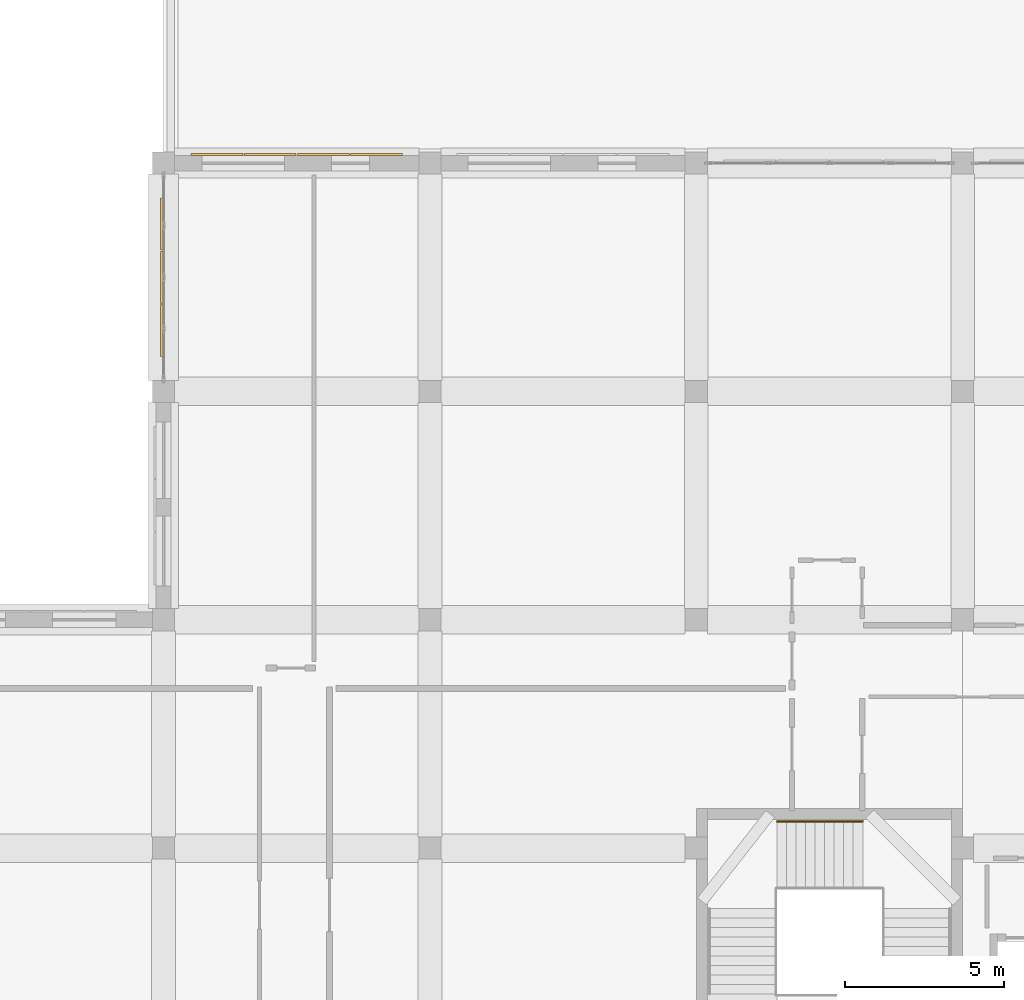
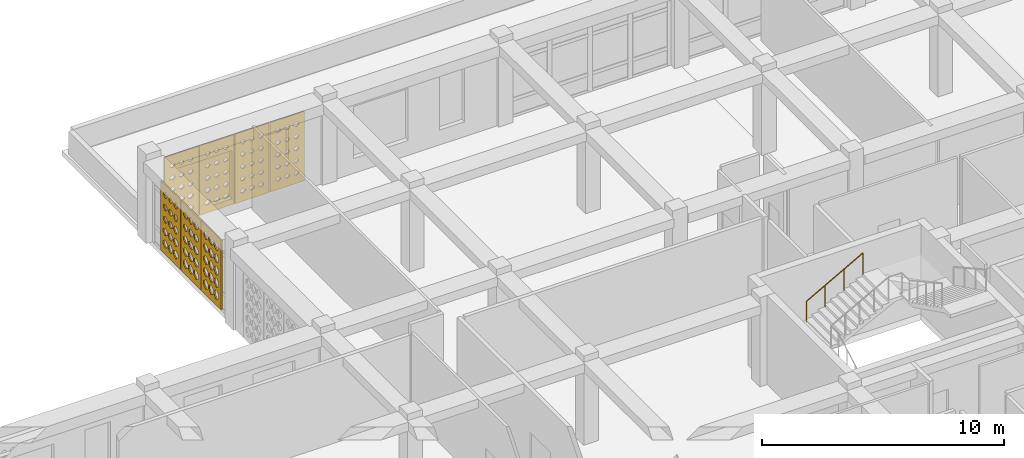
# One storey, part 90 of 100: 7 coverings, 1 railing.
"""IFC4 building model written with IfcOpenShell, lengths in metres."""

import ifcopenshell
import ifcopenshell.guid

model = None  # the IFC model being written
_history = None  # IfcOwnerHistory: only IFC2X3 demands one
_inside = {}  # id of a spatial element -> (the spatial element, [elements in it])
_under = {}  # id of a project, library or spatial element -> (it, [spatial elements below it])
_declared = {}  # id of a project -> (the project, [libraries it declares])
_typed = {}  # id of a type object -> (the type object, [elements of that type])
_made_of = {}  # id of a material, layer set ... -> (it, [elements and type objects made of it])


def new_model(schema):
    """Start an empty IFC model of exactly this schema.

    Asked for "IFC4X3", IfcOpenShell would pick the latest addendum, in which some entities
    have other attributes; the version numbers below select the first issue.
    IFC2X3 requires an IfcOwnerHistory on every rooted entity: one is made here for all.
    """
    global model, _history
    if schema == "IFC4X3":
        model = ifcopenshell.file(schema_version=(4, 3, 0, 0))
    else:
        model = ifcopenshell.file(schema=schema)
    _inside.clear()
    _under.clear()
    _declared.clear()
    _typed.clear()
    _made_of.clear()
    _history = None
    if model.schema == "IFC2X3":
        org = make("IfcOrganization", Name="unknown")
        user = make(
            "IfcPersonAndOrganization",
            ThePerson=make("IfcPerson", FamilyName="unknown"),
            TheOrganization=org,
        )
        app = make(
            "IfcApplication",
            ApplicationDeveloper=org,
            Version="unknown",
            ApplicationFullName="unknown",
            ApplicationIdentifier="unknown",
        )
        _history = make(
            "IfcOwnerHistory",
            OwningUser=user,
            OwningApplication=app,
            ChangeAction="ADDED",
            CreationDate=0,
        )
    return model


def make(cls, **values):
    """One entity of the class cls with the attributes given. An attribute that is None is left unset."""
    return model.create_entity(
        cls, **{name: value for name, value in values.items() if value is not None}
    )


def rooted(cls, **values):
    """An entity with a GlobalId (a new one), such as an element, a storey or a relation."""
    return make(cls, GlobalId=ifcopenshell.guid.new(), OwnerHistory=_history, **values)


def si_unit(unit_type, name, prefix=None):
    """IfcSIUnit, for example si_unit("LENGTHUNIT", "METRE", prefix="MILLI")."""
    return make("IfcSIUnit", UnitType=unit_type, Prefix=prefix, Name=name)


def derived_unit(unit_type, elements):
    """IfcDerivedUnit: a product of units, each with its exponent."""
    return make(
        "IfcDerivedUnit",
        Elements=[
            make("IfcDerivedUnitElement", Unit=unit, Exponent=power)
            for unit, power in elements
        ],
        UnitType=unit_type,
    )


def assignment(units):
    """IfcUnitAssignment: the units of a project."""
    return None if units is None else make("IfcUnitAssignment", Units=units)


def point(xyz):
    """IfcCartesianPoint."""
    return None if xyz is None else make("IfcCartesianPoint", Coordinates=xyz)


def direction(xyz):
    """IfcDirection."""
    return None if xyz is None else make("IfcDirection", DirectionRatios=xyz)


def frame(location, z_axis=None, x_axis=None):
    """IfcAxis2Placement3D, a coordinate frame: its origin and axes. An axis left out is left unset."""
    return make(
        "IfcAxis2Placement3D",
        Location=point(location),
        Axis=direction(z_axis),
        RefDirection=direction(x_axis),
    )


def frame_2d(location, x_axis=None):
    """IfcAxis2Placement2D, a coordinate frame in the plane: its origin and x axis."""
    return make(
        "IfcAxis2Placement2D", Location=point(location), RefDirection=direction(x_axis)
    )


def origin():
    """The frame at (0, 0, 0) with its axes left unset."""
    return frame((0.0, 0.0, 0.0))


def origin_2d():
    """The frame at (0, 0) in the plane with its x axis left unset."""
    return frame_2d((0.0, 0.0))


def place(relative_to, where):
    """IfcLocalPlacement: puts the frame where relative to a parent placement (None: the world)."""
    return make(
        "IfcLocalPlacement", PlacementRelTo=relative_to, RelativePlacement=where
    )


def context(
    kind, dimensions, precision=None, world=None, true_north=None, identifier=None
):
    """IfcGeometricRepresentationContext, for example the 3D "Model" context."""
    return make(
        "IfcGeometricRepresentationContext",
        ContextIdentifier=identifier,
        ContextType=kind,
        CoordinateSpaceDimension=dimensions,
        Precision=precision,
        WorldCoordinateSystem=world,
        TrueNorth=true_north,
    )


def subcontext(parent, identifier, kind, view, scale=None):
    """IfcGeometricRepresentationSubContext, for example "Body" below "Model"."""
    return make(
        "IfcGeometricRepresentationSubContext",
        ContextIdentifier=identifier,
        ContextType=kind,
        ParentContext=parent,
        TargetScale=scale,
        TargetView=view,
    )


def project(units=None, contexts=None):
    """IfcProject with its units and contexts."""
    return rooted(
        "IfcProject",
        Name="project",
        RepresentationContexts=contexts,
        UnitsInContext=assignment(units),
    )


def spatial(cls, under=None, at=None, **own):
    """A site, building, storey or space (cls), placed at a placement, below another one or the project."""
    s = rooted(cls, ObjectPlacement=at, **own)
    if under is not None:
        _under.setdefault(under.id(), (under, []))[1].append(s)
    return s


def polyline(points):
    """IfcPolyline through the points."""
    return make("IfcPolyline", Points=[point(p) for p in points])


def profile(cls, at=None, kind="AREA", **sizes):
    """A parametric profile (cls). Its sizes go by their IFC names, for example OverallWidth=200.0."""
    return make(cls, ProfileType=kind, Position=at, **sizes)


def circle(**sizes):
    """IfcCircleProfileDef."""
    return profile("IfcCircleProfileDef", **sizes)


def outline(outer, holes=None, kind="AREA"):
    """IfcArbitraryClosedProfileDef: a profile drawn as a closed curve; with holes, ...WithVoids."""
    if holes is None:
        return make("IfcArbitraryClosedProfileDef", ProfileType=kind, OuterCurve=outer)
    return make(
        "IfcArbitraryProfileDefWithVoids",
        ProfileType=kind,
        OuterCurve=outer,
        InnerCurves=holes,
    )


def extrude(swept, where, along, depth):
    """IfcExtrudedAreaSolid: the profile swept, set in the frame where, extruded along a direction by depth."""
    return make(
        "IfcExtrudedAreaSolid",
        SweptArea=swept,
        Position=where,
        ExtrudedDirection=direction(along),
        Depth=depth,
    )


def shape(context_of_items, identifier, shape_type, items):
    """IfcShapeRepresentation: the items that make up one representation, for example the "Body"."""
    return make(
        "IfcShapeRepresentation",
        ContextOfItems=context_of_items,
        RepresentationIdentifier=identifier,
        RepresentationType=shape_type,
        Items=items,
    )


def material(Name=None, Category=None):
    """IfcMaterial."""
    return make("IfcMaterial", Name=Name, Category=Category)


def layer(
    of_material, thickness, ventilated=None, Name=None, Category=None, Priority=None
):
    """IfcMaterialLayer: one layer of a wall or slab, of a material (None: an air gap)."""
    return make(
        "IfcMaterialLayer",
        Material=of_material,
        LayerThickness=thickness,
        IsVentilated=ventilated,
        Name=Name,
        Category=Category,
        Priority=Priority,
    )


def layer_set(layers, Name=None):
    """IfcMaterialLayerSet."""
    return make("IfcMaterialLayerSet", MaterialLayers=layers, LayerSetName=Name)


def made_of(thing, what):
    """Note that an element or type object is made of a material, layer set ...; save() writes the relation."""
    if what is not None:
        _made_of.setdefault(what.id(), (what, []))[1].append(thing)
    return thing


def type_object(cls, material=None, **own):
    """A type object (cls), such as IfcWallType, which elements share."""
    return made_of(rooted(cls, **own), material)


def element(
    cls,
    number,
    at=None,
    inside=None,
    cuts=None,
    type_object=None,
    material=None,
    context=None,
    identifier="Body",
    shape_type=None,
    held_by="IfcProductDefinitionShape",
    body=None,
    shapes=None,
    **own,
):
    """One element of the class cls, such as IfcWall. Its Tag is "e" and its number.

    at: its placement. inside: the storey or other place that contains it. cuts: it is an
    opening in that element (IfcRelVoidsElement). A single representation is given by context,
    identifier, shape_type and body (its items); several are given by shapes. held_by: the class
    of the entity that holds the representations. save() writes the other relations.
    """
    e = rooted(cls, Tag="e%d" % number, ObjectPlacement=at, **own)
    if body is not None:
        shapes = [shape(context, identifier, shape_type, body)]
    if shapes is not None:
        e.Representation = make(held_by, Representations=shapes)
    if inside is not None:
        _inside.setdefault(inside.id(), (inside, []))[1].append(e)
    if cuts is not None:
        rooted(
            "IfcRelVoidsElement", RelatingBuildingElement=cuts, RelatedOpeningElement=e
        )
    if type_object is not None:
        _typed.setdefault(type_object.id(), (type_object, []))[1].append(e)
    return made_of(e, material)


def aggregate(whole, parts):
    """IfcRelAggregates: a whole, such as a stair, and the parts it consists of."""
    return rooted("IfcRelAggregates", RelatingObject=whole, RelatedObjects=parts)


def save(model, path):
    """Write the relations noted so far, then the file.

    IfcRelAggregates (storeys below a building ...), IfcRelContainedInSpatialStructure (elements
    in a storey), IfcRelDefinesByType, IfcRelAssociatesMaterial and IfcRelDeclares: one each for
    every whole, place, type object, material and project.
    """
    for whole, parts in _under.values():
        aggregate(whole, parts)
    for where, things in _inside.values():
        rooted(
            "IfcRelContainedInSpatialStructure",
            RelatedElements=things,
            RelatingStructure=where,
        )
    for kind, things in _typed.values():
        rooted("IfcRelDefinesByType", RelatedObjects=things, RelatingType=kind)
    for what, things in _made_of.values():
        rooted("IfcRelAssociatesMaterial", RelatedObjects=things, RelatingMaterial=what)
    for by, libraries in _declared.values():
        rooted("IfcRelDeclares", RelatingContext=by, RelatedDefinitions=libraries)
    model.write(path)


model = new_model("IFC4")

# Units and contexts
model_context = context("Model", 3, precision=1e-05, world=origin(), true_north=direction((0.0, 1.0)))
body_context = subcontext(model_context, "Body", "Model", "MODEL_VIEW")
ifc_project = project(units=[si_unit("LENGTHUNIT", "METRE"), si_unit("AREAUNIT", "SQUARE_METRE"), si_unit("VOLUMEUNIT", "CUBIC_METRE"), si_unit("PLANEANGLEUNIT", "RADIAN"), si_unit("MASSUNIT", "GRAM", prefix="KILO"), derived_unit("THERMALTRANSMITTANCEUNIT", [(si_unit("POWERUNIT", "WATT"), 1), (si_unit("LENGTHUNIT", "METRE"), -2), (si_unit("THERMODYNAMICTEMPERATUREUNIT", "KELVIN"), -1)])], contexts=[model_context])

# Site, building, storey
site_placement = place(None, origin())
site = spatial("IfcSite", under=ifc_project, at=site_placement, CompositionType="ELEMENT")
building_placement = place(site_placement, origin())
building = spatial("IfcBuilding", under=site, at=building_placement, Name="Veybourne Emporium", CompositionType="ELEMENT")
storey_placement = place(building_placement, frame((0.0, 0.0, 14.39990234375)))
storey = spatial("IfcBuildingStorey", under=building, at=storey_placement, Name="L03", CompositionType="ELEMENT", Elevation=14.39990234375)

# Railing
ifc_material_1 = material(Name="Brushed Stainless Steel", Category="steel")
railing_type = type_object("IfcRailingType", Name="Handrail_HR-01", PredefinedType="HANDRAIL", material=ifc_material_1)
railing_placement = place(storey_placement, frame((52.949951171875, 80.0400390625, 1.650146484375)))
element("IfcRailing", 1, at=railing_placement, inside=storey, type_object=railing_type, Name="L03 ST-03 pitch handrail 2", PredefinedType="HANDRAIL", context=body_context, shape_type="SweptSolid", body=[
    extrude(circle(Radius=0.02392578125, at=origin_2d()), frame((0.0, 0.0, 0.92578125), z_axis=(0.87415354758, 0.0, 0.485649642493), x_axis=(0.0, 1.0, 0.0)), (0.0, 0.0, 1.0), 3.088623046875),
    extrude(circle(Radius=0.02099609375, at=origin_2d()), frame((0.0, 0.0, -0.14990234375)), (0.0, 0.0, 1.0), 1.0517578125),
    extrude(circle(Radius=0.02099609375, at=origin_2d()), frame((0.89990234375, 0.0, 0.35009765625)), (0.0, 0.0, 1.0), 1.0517578125),
    extrude(circle(Radius=0.02099609375, at=origin_2d()), frame((1.800048828125, 0.0, 0.85009765625)), (0.0, 0.0, 1.0), 1.0517578125),
    extrude(circle(Radius=0.02099609375, at=origin_2d()), frame((2.699951171875, 0.0, 1.35009765625)), (0.0, 0.0, 1.0), 1.0517578125),
])

# Coverings
ifc_material_2 = material(Name="Warm-White Perforated Aluminium Screen Alloy", Category="aluminium")
ifc_layer_1 = layer(ifc_material_2, 0.06005859375)
ifc_layer_set_1 = layer_set([ifc_layer_1], Name="Warm-White Perforated Aluminium Screen Alloy")
covering_type_1 = type_object("IfcCoveringType", Name="WaveScreen_SCR-01", PredefinedType="CLADDING", material=ifc_layer_set_1)
covering_1_placement = place(storey_placement, frame((36.9599609375, 101.09814453125, 1.815185546875), z_axis=(0.0, -1.0, 0.0), x_axis=(1.0, 0.0, 0.0)))
element("IfcCovering", 2, at=covering_1_placement, inside=storey, type_object=covering_type_1, Name="L03 wave-perforated aluminium screen SCR-01 (23.2)", PredefinedType="CLADDING", context=body_context, shape_type="SweptSolid", body=[
    extrude(outline(polyline([(-0.81982421875, -1.7548828125), (0.81982421875, -1.7548828125), (0.81982421875, 1.7548828125), (-0.81982421875, 1.7548828125), (-0.81982421875, -1.7548828125)]), holes=[polyline([(-0.433349609375, -1.087890625), (-0.308837890625, -1.177490234375), (-0.308837890625, -1.2783203125), (-0.433349609375, -1.367919921875), (-0.557861328125, -1.2783203125), (-0.557861328125, -1.177490234375), (-0.433349609375, -1.087890625)]), polyline([(-0.433349609375, -0.484130859375), (-0.31689453125, -0.567138671875), (-0.31689453125, -0.660888671875), (-0.433349609375, -0.743896484375), (-0.549560546875, -0.660888671875), (-0.549560546875, -0.567138671875), (-0.433349609375, -0.484130859375)]), polyline([(-0.433349609375, 0.12158203125), (-0.32373046875, 0.043701171875), (-0.32373046875, -0.043701171875), (-0.433349609375, -0.12158203125), (-0.54296875, -0.043701171875), (-0.54296875, 0.043701171875), (-0.433349609375, 0.12158203125)]), polyline([(-0.433349609375, 0.7294921875), (-0.328857421875, 0.655517578125), (-0.328857421875, 0.572509765625), (-0.433349609375, 0.49853515625), (-0.537841796875, 0.572509765625), (-0.537841796875, 0.655517578125), (-0.433349609375, 0.7294921875)]), polyline([(-0.433349609375, 1.339599609375), (-0.33203125, 1.268310546875), (-0.33203125, 1.187744140625), (-0.433349609375, 1.116455078125), (-0.53466796875, 1.187744140625), (-0.53466796875, 1.268310546875), (-0.433349609375, 1.339599609375)]), polyline([(0.0, -1.0927734375), (0.12060546875, -1.17919921875), (0.12060546875, -1.276611328125), (0.0, -1.36328125), (-0.12060546875, -1.276611328125), (-0.12060546875, -1.17919921875), (0.0, -1.0927734375)]), polyline([(0.0, -0.488037109375), (0.113037109375, -0.568603515625), (0.113037109375, -0.6591796875), (0.0, -0.739990234375), (-0.113037109375, -0.6591796875), (-0.113037109375, -0.568603515625), (0.0, -0.488037109375)]), polyline([(0.0, 0.11865234375), (0.10693359375, 0.042724609375), (0.10693359375, -0.042724609375), (0.0, -0.11865234375), (-0.10693359375, -0.042724609375), (-0.10693359375, 0.042724609375), (0.0, 0.11865234375)]), polyline([(0.0, 0.727294921875), (0.102783203125, 0.65478515625), (0.102783203125, 0.5732421875), (0.0, 0.50048828125), (-0.102783203125, 0.5732421875), (-0.102783203125, 0.65478515625), (0.0, 0.727294921875)]), polyline([(0.0, 1.338623046875), (0.1005859375, 1.267822265625), (0.1005859375, 1.188232421875), (0.0, 1.117431640625), (-0.1005859375, 1.188232421875), (-0.1005859375, 1.267822265625), (0.0, 1.338623046875)]), polyline([(0.433349609375, -1.09716796875), (0.55029296875, -1.180908203125), (0.55029296875, -1.275146484375), (0.433349609375, -1.35888671875), (0.31640625, -1.275146484375), (0.31640625, -1.180908203125), (0.433349609375, -1.09716796875)]), polyline([(0.433349609375, -0.49169921875), (0.54345703125, -0.570068359375), (0.54345703125, -0.657958984375), (0.433349609375, -0.736328125), (0.3232421875, -0.657958984375), (0.3232421875, -0.570068359375), (0.433349609375, -0.49169921875)]), polyline([(0.433349609375, 0.115966796875), (0.5380859375, 0.041748046875), (0.5380859375, -0.041748046875), (0.433349609375, -0.115966796875), (0.32861328125, -0.041748046875), (0.32861328125, 0.041748046875), (0.433349609375, 0.115966796875)]), polyline([(0.433349609375, 0.725830078125), (0.534912109375, 0.654296875), (0.534912109375, 0.57373046875), (0.433349609375, 0.502197265625), (0.331787109375, 0.57373046875), (0.331787109375, 0.654296875), (0.433349609375, 0.725830078125)]), polyline([(0.433349609375, 1.338134765625), (0.533447265625, 1.267578125), (0.533447265625, 1.1884765625), (0.433349609375, 1.117919921875), (0.333251953125, 1.1884765625), (0.333251953125, 1.267578125), (0.433349609375, 1.338134765625)])]), origin(), (0.0, 0.0, 1.0), 0.06005859375),
])
covering_2_placement = place(storey_placement, frame((33.50439453125, 95.52001953125, 1.815185546875), z_axis=(1.0, 0.0, 0.0), x_axis=(0.0, 1.0, 0.0)))
element("IfcCovering", 3, at=covering_2_placement, inside=storey, type_object=covering_type_1, Name="L03 wave-perforated aluminium screen SCR-01 (24C.1)", PredefinedType="CLADDING", context=body_context, shape_type="SweptSolid", body=[
    extrude(outline(polyline([(-0.81982421875, -1.7548828125), (0.81982421875, -1.7548828125), (0.81982421875, 1.7548828125), (-0.81982421875, 1.7548828125), (-0.81982421875, -1.7548828125)]), holes=[polyline([(-0.433349609375, -0.969482421875), (-0.2470703125, -1.135009765625), (-0.2470703125, -1.321044921875), (-0.433349609375, -1.486328125), (-0.61962890625, -1.321044921875), (-0.61962890625, -1.135009765625), (-0.433349609375, -0.969482421875)]), polyline([(-0.433349609375, -0.364990234375), (-0.2470703125, -0.5244140625), (-0.2470703125, -0.70361328125), (-0.433349609375, -0.863037109375), (-0.61962890625, -0.70361328125), (-0.61962890625, -0.5244140625), (-0.433349609375, -0.364990234375)]), polyline([(-0.433349609375, 0.23779296875), (-0.2470703125, 0.085693359375), (-0.2470703125, -0.085693359375), (-0.433349609375, -0.23779296875), (-0.61962890625, -0.085693359375), (-0.61962890625, 0.085693359375), (-0.433349609375, 0.23779296875)]), polyline([(-0.433349609375, 0.83935546875), (-0.2470703125, 0.695068359375), (-0.2470703125, 0.532958984375), (-0.433349609375, 0.388671875), (-0.61962890625, 0.532958984375), (-0.61962890625, 0.695068359375), (-0.433349609375, 0.83935546875)]), polyline([(-0.433349609375, 1.43994140625), (-0.25, 1.30419921875), (-0.25, 1.151611328125), (-0.433349609375, 1.01611328125), (-0.61669921875, 1.151611328125), (-0.61669921875, 1.30419921875), (-0.433349609375, 1.43994140625)]), polyline([(0.0, -0.9736328125), (0.186279296875, -1.136474609375), (0.186279296875, -1.319580078125), (0.0, -1.482421875), (-0.186279296875, -1.319580078125), (-0.186279296875, -1.136474609375), (0.0, -0.9736328125)]), polyline([(0.0, -0.369873046875), (0.186279296875, -0.526123046875), (0.186279296875, -0.701904296875), (0.0, -0.858154296875), (-0.186279296875, -0.701904296875), (-0.186279296875, -0.526123046875), (0.0, -0.369873046875)]), polyline([(0.0, 0.232421875), (0.186279296875, 0.083740234375), (0.186279296875, -0.083740234375), (0.0, -0.232421875), (-0.186279296875, -0.083740234375), (-0.186279296875, 0.083740234375), (0.0, 0.232421875)]), polyline([(0.0, 0.83349609375), (0.186279296875, 0.693115234375), (0.186279296875, 0.534912109375), (0.0, 0.39453125), (-0.186279296875, 0.534912109375), (-0.186279296875, 0.693115234375), (0.0, 0.83349609375)]), polyline([(0.0, 1.43359375), (0.17822265625, 1.302001953125), (0.17822265625, 1.154052734375), (0.0, 1.022216796875), (-0.17822265625, 1.154052734375), (-0.17822265625, 1.302001953125), (0.0, 1.43359375)]), polyline([(0.433349609375, -0.97802734375), (0.61962890625, -1.137939453125), (0.61962890625, -1.318115234375), (0.433349609375, -1.477783203125), (0.2470703125, -1.318115234375), (0.2470703125, -1.137939453125), (0.433349609375, -0.97802734375)]), polyline([(0.433349609375, -0.375), (0.61962890625, -0.528076171875), (0.61962890625, -0.699951171875), (0.433349609375, -0.85302734375), (0.2470703125, -0.699951171875), (0.2470703125, -0.528076171875), (0.433349609375, -0.375)]), polyline([(0.433349609375, 0.2265625), (0.61962890625, 0.08154296875), (0.61962890625, -0.08154296875), (0.433349609375, -0.2265625), (0.2470703125, -0.08154296875), (0.2470703125, 0.08154296875), (0.433349609375, 0.2265625)]), polyline([(0.433349609375, 0.827392578125), (0.617919921875, 0.69091796875), (0.617919921875, 0.537109375), (0.433349609375, 0.400634765625), (0.248779296875, 0.537109375), (0.248779296875, 0.69091796875), (0.433349609375, 0.827392578125)]), polyline([(0.433349609375, 1.42724609375), (0.6064453125, 1.2998046875), (0.6064453125, 1.15625), (0.433349609375, 1.02880859375), (0.26025390625, 1.15625), (0.26025390625, 1.2998046875), (0.433349609375, 1.42724609375)])]), origin(), (0.0, 0.0, 1.0), 0.06005859375),
])
ifc_layer_2 = layer(ifc_material_2, 0.06005859375)
ifc_layer_set_2 = layer_set([ifc_layer_2], Name="Warm-White Perforated Aluminium Screen Alloy")
covering_type_2 = type_object("IfcCoveringType", Name="WaveScreen_SCR-02", PredefinedType="CLADDING", material=ifc_layer_set_2)
covering_3_placement = place(storey_placement, frame((38.639892578125, 101.09814453125, 1.815185546875), z_axis=(0.0, -1.0, 0.0), x_axis=(1.0, 0.0, 0.0)))
element("IfcCovering", 4, at=covering_3_placement, inside=storey, type_object=covering_type_2, Name="L03 wave-perforated aluminium screen SCR-02 (23.3)", PredefinedType="CLADDING", context=body_context, shape_type="SweptSolid", body=[
    extrude(outline(polyline([(-0.81982421875, -1.7548828125), (0.81982421875, -1.7548828125), (0.81982421875, 1.7548828125), (-0.81982421875, 1.7548828125), (-0.81982421875, -1.7548828125)]), holes=[polyline([(-0.433349609375, -1.1044921875), (-0.322265625, -1.18359375), (-0.322265625, -1.2724609375), (-0.433349609375, -1.3515625), (-0.544189453125, -1.2724609375), (-0.544189453125, -1.18359375), (-0.433349609375, -1.1044921875)]), polyline([(-0.433349609375, -0.497314453125), (-0.327880859375, -0.572021484375), (-0.327880859375, -0.656005859375), (-0.433349609375, -0.730712890625), (-0.538818359375, -0.656005859375), (-0.538818359375, -0.572021484375), (-0.433349609375, -0.497314453125)]), polyline([(-0.433349609375, 0.1123046875), (-0.33154296875, 0.040283203125), (-0.33154296875, -0.040283203125), (-0.433349609375, -0.1123046875), (-0.53515625, -0.040283203125), (-0.53515625, 0.040283203125), (-0.433349609375, 0.1123046875)]), polyline([(-0.433349609375, 0.72412109375), (-0.333251953125, 0.65380859375), (-0.333251953125, 0.57421875), (-0.433349609375, 0.50390625), (-0.533447265625, 0.57421875), (-0.533447265625, 0.65380859375), (-0.433349609375, 0.72412109375)]), polyline([(-0.433349609375, 1.33837890625), (-0.3330078125, 1.267822265625), (-0.3330078125, 1.188232421875), (-0.433349609375, 1.117431640625), (-0.53369140625, 1.188232421875), (-0.53369140625, 1.267822265625), (-0.433349609375, 1.33837890625)]), polyline([(0.0, -1.10791015625), (0.1083984375, -1.184814453125), (0.1083984375, -1.271240234375), (0.0, -1.34814453125), (-0.1083984375, -1.271240234375), (-0.1083984375, -1.184814453125), (0.0, -1.10791015625)]), polyline([(0.0, -0.49951171875), (0.103515625, -0.57275390625), (0.103515625, -0.6552734375), (0.0, -0.728515625), (-0.103515625, -0.6552734375), (-0.103515625, -0.57275390625), (0.0, -0.49951171875)]), polyline([(0.0, 0.111083984375), (0.100830078125, 0.0400390625), (0.100830078125, -0.0400390625), (0.0, -0.111083984375), (-0.100830078125, -0.0400390625), (-0.100830078125, 0.0400390625), (0.0, 0.111083984375)]), polyline([(0.0, 0.72412109375), (0.10009765625, 0.653564453125), (0.10009765625, 0.574462890625), (0.0, 0.50390625), (-0.10009765625, 0.574462890625), (-0.10009765625, 0.653564453125), (0.0, 0.72412109375)]), polyline([(0.0, 1.33935546875), (0.101318359375, 1.26806640625), (0.101318359375, 1.18798828125), (0.0, 1.11669921875), (-0.101318359375, 1.18798828125), (-0.101318359375, 1.26806640625), (0.0, 1.33935546875)]), polyline([(0.433349609375, -1.110595703125), (0.539306640625, -1.185791015625), (0.539306640625, -1.270263671875), (0.433349609375, -1.34521484375), (0.327392578125, -1.270263671875), (0.327392578125, -1.185791015625), (0.433349609375, -1.110595703125)]), polyline([(0.433349609375, -0.50146484375), (0.535400390625, -0.573486328125), (0.535400390625, -0.654541015625), (0.433349609375, -0.7265625), (0.331298828125, -0.654541015625), (0.331298828125, -0.573486328125), (0.433349609375, -0.50146484375)]), polyline([(0.433349609375, 0.1103515625), (0.533447265625, 0.039794921875), (0.533447265625, -0.039794921875), (0.433349609375, -0.1103515625), (0.3330078125, -0.039794921875), (0.3330078125, 0.039794921875), (0.433349609375, 0.1103515625)]), polyline([(0.433349609375, 0.724365234375), (0.53369140625, 0.65380859375), (0.53369140625, 0.57421875), (0.433349609375, 0.503662109375), (0.3330078125, 0.57421875), (0.3330078125, 0.65380859375), (0.433349609375, 0.724365234375)]), polyline([(0.433349609375, 1.3408203125), (0.53564453125, 1.2685546875), (0.53564453125, 1.1875), (0.433349609375, 1.114990234375), (0.3310546875, 1.1875), (0.3310546875, 1.2685546875), (0.433349609375, 1.3408203125)])]), origin(), (0.0, 0.0, 1.0), 0.06005859375),
])
covering_4_placement = place(storey_placement, frame((33.50439453125, 97.199951171875, 1.815185546875), z_axis=(1.0, 0.0, 0.0), x_axis=(0.0, 1.0, 0.0)))
element("IfcCovering", 5, at=covering_4_placement, inside=storey, type_object=covering_type_2, Name="L03 wave-perforated aluminium screen SCR-02 (24C.2)", PredefinedType="CLADDING", context=body_context, shape_type="SweptSolid", body=[
    extrude(outline(polyline([(-0.81982421875, -1.7548828125), (0.81982421875, -1.7548828125), (0.81982421875, 1.7548828125), (-0.81982421875, 1.7548828125), (-0.81982421875, -1.7548828125)]), holes=[polyline([(-0.433349609375, -0.9873046875), (-0.2470703125, -1.141357421875), (-0.2470703125, -1.314697265625), (-0.433349609375, -1.46875), (-0.61962890625, -1.314697265625), (-0.61962890625, -1.141357421875), (-0.433349609375, -0.9873046875)]), polyline([(-0.433349609375, -0.385498046875), (-0.2470703125, -0.53173828125), (-0.2470703125, -0.6962890625), (-0.433349609375, -0.842529296875), (-0.61962890625, -0.6962890625), (-0.61962890625, -0.53173828125), (-0.433349609375, -0.385498046875)]), polyline([(-0.433349609375, 0.21533203125), (-0.247314453125, 0.077392578125), (-0.247314453125, -0.077392578125), (-0.433349609375, -0.21533203125), (-0.619384765625, -0.077392578125), (-0.619384765625, 0.077392578125), (-0.433349609375, 0.21533203125)]), polyline([(-0.433349609375, 0.8154296875), (-0.258544921875, 0.6865234375), (-0.258544921875, 0.54150390625), (-0.433349609375, 0.41259765625), (-0.608154296875, 0.54150390625), (-0.608154296875, 0.6865234375), (-0.433349609375, 0.8154296875)]), polyline([(-0.433349609375, 1.415283203125), (-0.27001953125, 1.29541015625), (-0.27001953125, 1.16064453125), (-0.433349609375, 1.040771484375), (-0.596435546875, 1.16064453125), (-0.596435546875, 1.29541015625), (-0.433349609375, 1.415283203125)]), polyline([(0.0, -0.99267578125), (0.186279296875, -1.143310546875), (0.186279296875, -1.312744140625), (0.0, -1.46337890625), (-0.186279296875, -1.312744140625), (-0.186279296875, -1.143310546875), (0.0, -0.99267578125)]), polyline([(0.0, -0.391357421875), (0.186279296875, -0.533935546875), (0.186279296875, -0.694091796875), (0.0, -0.836669921875), (-0.186279296875, -0.694091796875), (-0.186279296875, -0.533935546875), (0.0, -0.391357421875)]), polyline([(0.0, 0.208984375), (0.180908203125, 0.0751953125), (0.180908203125, -0.0751953125), (0.0, -0.208984375), (-0.180908203125, -0.0751953125), (-0.180908203125, 0.0751953125), (0.0, 0.208984375)]), polyline([(0.0, 0.80908203125), (0.16943359375, 0.68408203125), (0.16943359375, 0.543701171875), (0.0, 0.4189453125), (-0.16943359375, 0.543701171875), (-0.16943359375, 0.68408203125), (0.0, 0.80908203125)]), polyline([(0.0, 1.40869140625), (0.157958984375, 1.293212890625), (0.157958984375, 1.162841796875), (0.0, 1.047119140625), (-0.157958984375, 1.162841796875), (-0.157958984375, 1.293212890625), (0.0, 1.40869140625)]), polyline([(0.433349609375, -0.998291015625), (0.61962890625, -1.145263671875), (0.61962890625, -1.310791015625), (0.433349609375, -1.457763671875), (0.2470703125, -1.310791015625), (0.2470703125, -1.145263671875), (0.433349609375, -0.998291015625)]), polyline([(0.433349609375, -0.3974609375), (0.61962890625, -0.535888671875), (0.61962890625, -0.69189453125), (0.433349609375, -0.83056640625), (0.2470703125, -0.69189453125), (0.2470703125, -0.535888671875), (0.433349609375, -0.3974609375)]), polyline([(0.433349609375, 0.20263671875), (0.609130859375, 0.072998046875), (0.609130859375, -0.072998046875), (0.433349609375, -0.20263671875), (0.257568359375, -0.072998046875), (0.257568359375, 0.072998046875), (0.433349609375, 0.20263671875)]), polyline([(0.433349609375, 0.802490234375), (0.59765625, 0.681884765625), (0.59765625, 0.546142578125), (0.433349609375, 0.425537109375), (0.26904296875, 0.546142578125), (0.26904296875, 0.681884765625), (0.433349609375, 0.802490234375)]), polyline([(0.433349609375, 1.402587890625), (0.586181640625, 1.290771484375), (0.586181640625, 1.165283203125), (0.433349609375, 1.053466796875), (0.280517578125, 1.165283203125), (0.280517578125, 1.290771484375), (0.433349609375, 1.402587890625)])]), origin(), (0.0, 0.0, 1.0), 0.06005859375),
])
ifc_layer_3 = layer(ifc_material_2, 0.06005859375)
ifc_layer_set_3 = layer_set([ifc_layer_3], Name="Warm-White Perforated Aluminium Screen Alloy")
covering_type_3 = type_object("IfcCoveringType", Name="WaveScreen_SCR-03", PredefinedType="CLADDING", material=ifc_layer_set_3)
covering_5_placement = place(storey_placement, frame((40.320068359375, 101.09814453125, 1.815185546875), z_axis=(0.0, -1.0, 0.0), x_axis=(1.0, 0.0, 0.0)))
element("IfcCovering", 6, at=covering_5_placement, inside=storey, type_object=covering_type_3, Name="L03 wave-perforated aluminium screen SCR-03 (23.4)", PredefinedType="CLADDING", context=body_context, shape_type="SweptSolid", body=[
    extrude(outline(polyline([(-0.81982421875, -1.7548828125), (0.81982421875, -1.7548828125), (0.81982421875, 1.7548828125), (-0.81982421875, 1.7548828125), (-0.81982421875, -1.7548828125)]), holes=[polyline([(-0.433349609375, -1.114990234375), (-0.330810546875, -1.187255859375), (-0.330810546875, -1.268798828125), (-0.433349609375, -1.341064453125), (-0.535888671875, -1.268798828125), (-0.535888671875, -1.187255859375), (-0.433349609375, -1.114990234375)]), polyline([(-0.433349609375, -0.50341796875), (-0.3330078125, -0.57421875), (-0.3330078125, -0.65380859375), (-0.433349609375, -0.724609375), (-0.53369140625, -0.65380859375), (-0.53369140625, -0.57421875), (-0.433349609375, -0.50341796875)]), polyline([(-0.433349609375, 0.110107421875), (-0.333251953125, 0.039794921875), (-0.333251953125, -0.039794921875), (-0.433349609375, -0.110107421875), (-0.533447265625, -0.039794921875), (-0.533447265625, 0.039794921875), (-0.433349609375, 0.110107421875)]), polyline([(-0.433349609375, 0.726318359375), (-0.331298828125, 0.654296875), (-0.331298828125, 0.573486328125), (-0.433349609375, 0.501708984375), (-0.53515625, 0.573486328125), (-0.53515625, 0.654296875), (-0.433349609375, 0.726318359375)]), polyline([(-0.433349609375, 1.344970703125), (-0.32763671875, 1.27001953125), (-0.32763671875, 1.185791015625), (-0.433349609375, 1.111083984375), (-0.538818359375, 1.185791015625), (-0.538818359375, 1.27001953125), (-0.433349609375, 1.344970703125)]), polyline([(0.0, -1.116455078125), (0.101318359375, -1.187744140625), (0.101318359375, -1.268310546875), (0.0, -1.339599609375), (-0.101318359375, -1.268310546875), (-0.101318359375, -1.187744140625), (0.0, -1.116455078125)]), polyline([(0.0, -0.50390625), (0.10009765625, -0.574462890625), (0.10009765625, -0.653564453125), (0.0, -0.72412109375), (-0.10009765625, -0.653564453125), (-0.10009765625, -0.574462890625), (0.0, -0.50390625)]), polyline([(0.0, 0.11083984375), (0.1005859375, 0.039794921875), (0.1005859375, -0.039794921875), (0.0, -0.11083984375), (-0.1005859375, -0.039794921875), (-0.1005859375, 0.039794921875), (0.0, 0.11083984375)]), polyline([(0.0, 0.72802734375), (0.103515625, 0.655029296875), (0.103515625, 0.572998046875), (0.0, 0.5), (-0.103515625, 0.572998046875), (-0.103515625, 0.655029296875), (0.0, 0.72802734375)]), polyline([(0.0, 1.34765625), (0.10791015625, 1.27099609375), (0.10791015625, 1.184814453125), (0.0, 1.1083984375), (-0.10791015625, 1.184814453125), (-0.10791015625, 1.27099609375), (0.0, 1.34765625)]), polyline([(0.433349609375, -1.117431640625), (0.53369140625, -1.188232421875), (0.53369140625, -1.267822265625), (0.433349609375, -1.338623046875), (0.332763671875, -1.267822265625), (0.332763671875, -1.188232421875), (0.433349609375, -1.117431640625)]), polyline([(0.433349609375, -0.50390625), (0.533447265625, -0.574462890625), (0.533447265625, -0.653564453125), (0.433349609375, -0.72412109375), (0.333251953125, -0.653564453125), (0.333251953125, -0.574462890625), (0.433349609375, -0.50390625)]), polyline([(0.433349609375, 0.112060546875), (0.534912109375, 0.040283203125), (0.534912109375, -0.040283203125), (0.433349609375, -0.112060546875), (0.331787109375, -0.040283203125), (0.331787109375, 0.040283203125), (0.433349609375, 0.112060546875)]), polyline([(0.433349609375, 0.730224609375), (0.53857421875, 0.656005859375), (0.53857421875, 0.572021484375), (0.433349609375, 0.497802734375), (0.328125, 0.572021484375), (0.328125, 0.656005859375), (0.433349609375, 0.730224609375)]), polyline([(0.433349609375, 1.350830078125), (0.5439453125, 1.272216796875), (0.5439453125, 1.183837890625), (0.433349609375, 1.10498046875), (0.32275390625, 1.183837890625), (0.32275390625, 1.272216796875), (0.433349609375, 1.350830078125)])]), origin(), (0.0, 0.0, 1.0), 0.06005859375),
])
covering_6_placement = place(storey_placement, frame((33.50439453125, 98.8798828125, 1.815185546875), z_axis=(1.0, 0.0, 0.0), x_axis=(0.0, 1.0, 0.0)))
element("IfcCovering", 7, at=covering_6_placement, inside=storey, type_object=covering_type_3, Name="L03 wave-perforated aluminium screen SCR-03 (24C.3)", PredefinedType="CLADDING", context=body_context, shape_type="SweptSolid", body=[
    extrude(outline(polyline([(-0.81982421875, -1.7548828125), (0.81982421875, -1.7548828125), (0.81982421875, 1.7548828125), (-0.81982421875, 1.7548828125), (-0.81982421875, -1.7548828125)]), holes=[polyline([(-0.433349609375, -1.009521484375), (-0.2470703125, -1.1494140625), (-0.2470703125, -1.306640625), (-0.433349609375, -1.446533203125), (-0.61962890625, -1.306640625), (-0.61962890625, -1.1494140625), (-0.433349609375, -1.009521484375)]), polyline([(-0.433349609375, -0.4091796875), (-0.255859375, -0.540283203125), (-0.255859375, -0.687744140625), (-0.433349609375, -0.81884765625), (-0.61083984375, -0.687744140625), (-0.61083984375, -0.540283203125), (-0.433349609375, -0.4091796875)]), polyline([(-0.433349609375, 0.190673828125), (-0.267333984375, 0.068603515625), (-0.267333984375, -0.068603515625), (-0.433349609375, -0.190673828125), (-0.599365234375, -0.068603515625), (-0.599365234375, 0.068603515625), (-0.433349609375, 0.190673828125)]), polyline([(-0.433349609375, 0.79052734375), (-0.27880859375, 0.677490234375), (-0.27880859375, 0.55029296875), (-0.433349609375, 0.4375), (-0.587890625, 0.55029296875), (-0.587890625, 0.677490234375), (-0.433349609375, 0.79052734375)]), polyline([(-0.433349609375, 1.39111328125), (-0.2900390625, 1.28662109375), (-0.2900390625, 1.169189453125), (-0.433349609375, 1.06494140625), (-0.57666015625, 1.169189453125), (-0.57666015625, 1.28662109375), (-0.433349609375, 1.39111328125)]), polyline([(0.0, -1.015625), (0.183837890625, -1.151611328125), (0.183837890625, -1.304443359375), (0.0, -1.4404296875), (-0.183837890625, -1.304443359375), (-0.183837890625, -1.151611328125), (0.0, -1.015625)]), polyline([(0.0, -0.41552734375), (0.17236328125, -0.54248046875), (0.17236328125, -0.685302734375), (0.0, -0.8125), (-0.17236328125, -0.685302734375), (-0.17236328125, -0.54248046875), (0.0, -0.41552734375)]), polyline([(0.0, 0.18408203125), (0.16064453125, 0.06640625), (0.16064453125, -0.06640625), (0.0, -0.18408203125), (-0.16064453125, -0.06640625), (-0.16064453125, 0.06640625), (0.0, 0.18408203125)]), polyline([(0.0, 0.7841796875), (0.1494140625, 0.67529296875), (0.1494140625, 0.552734375), (0.0, 0.443603515625), (-0.1494140625, 0.552734375), (-0.1494140625, 0.67529296875), (0.0, 0.7841796875)]), polyline([(0.0, 1.385009765625), (0.138427734375, 1.284423828125), (0.138427734375, 1.17138671875), (0.0, 1.071044921875), (-0.138427734375, 1.17138671875), (-0.138427734375, 1.284423828125), (0.0, 1.385009765625)]), polyline([(0.433349609375, -1.02197265625), (0.61181640625, -1.15380859375), (0.61181640625, -1.30224609375), (0.433349609375, -1.43408203125), (0.254638671875, -1.30224609375), (0.254638671875, -1.15380859375), (0.433349609375, -1.02197265625)]), polyline([(0.433349609375, -0.422119140625), (0.600341796875, -0.544921875), (0.600341796875, -0.68310546875), (0.433349609375, -0.805908203125), (0.266357421875, -0.68310546875), (0.266357421875, -0.544921875), (0.433349609375, -0.422119140625)]), polyline([(0.433349609375, 0.177978515625), (0.5888671875, 0.06396484375), (0.5888671875, -0.06396484375), (0.433349609375, -0.177978515625), (0.27783203125, -0.06396484375), (0.27783203125, 0.06396484375), (0.433349609375, 0.177978515625)]), polyline([(0.433349609375, 0.7783203125), (0.57763671875, 0.673095703125), (0.57763671875, 0.554931640625), (0.433349609375, 0.44970703125), (0.2890625, 0.554931640625), (0.2890625, 0.673095703125), (0.433349609375, 0.7783203125)]), polyline([(0.433349609375, 1.37939453125), (0.567138671875, 1.282470703125), (0.567138671875, 1.173583984375), (0.433349609375, 1.07666015625), (0.299560546875, 1.173583984375), (0.299560546875, 1.282470703125), (0.433349609375, 1.37939453125)])]), origin(), (0.0, 0.0, 1.0), 0.06005859375),
])
ifc_layer_4 = layer(ifc_material_2, 0.06005859375)
ifc_layer_set_4 = layer_set([ifc_layer_4], Name="Warm-White Perforated Aluminium Screen Alloy")
covering_type_4 = type_object("IfcCoveringType", Name="WaveScreen_SCR-04", PredefinedType="CLADDING", material=ifc_layer_set_4)
covering_7_placement = place(storey_placement, frame((35.280029296875, 101.09814453125, 1.815185546875), z_axis=(0.0, -1.0, 0.0), x_axis=(1.0, 0.0, 0.0)))
element("IfcCovering", 8, at=covering_7_placement, inside=storey, type_object=covering_type_4, Name="L03 wave-perforated aluminium screen SCR-04 (23.1)", PredefinedType="CLADDING", context=body_context, shape_type="SweptSolid", body=[
    extrude(outline(polyline([(-0.81982421875, -1.7548828125), (0.81982421875, -1.7548828125), (0.81982421875, 1.7548828125), (-0.81982421875, 1.7548828125), (-0.81982421875, -1.7548828125)]), holes=[polyline([(-0.433349609375, -1.066650390625), (-0.291259765625, -1.169921875), (-0.291259765625, -1.2861328125), (-0.433349609375, -1.389404296875), (-0.575439453125, -1.2861328125), (-0.575439453125, -1.169921875), (-0.433349609375, -1.066650390625)]), polyline([(-0.433349609375, -0.465087890625), (-0.301513671875, -0.560302734375), (-0.301513671875, -0.66748046875), (-0.433349609375, -0.7626953125), (-0.565185546875, -0.66748046875), (-0.565185546875, -0.560302734375), (-0.433349609375, -0.465087890625)]), polyline([(-0.433349609375, 0.137451171875), (-0.310791015625, 0.049560546875), (-0.310791015625, -0.049560546875), (-0.433349609375, -0.137451171875), (-0.555908203125, -0.049560546875), (-0.555908203125, 0.049560546875), (-0.433349609375, 0.137451171875)]), polyline([(-0.433349609375, 0.74169921875), (-0.31884765625, 0.659912109375), (-0.31884765625, 0.568115234375), (-0.433349609375, 0.486083984375), (-0.5478515625, 0.568115234375), (-0.5478515625, 0.659912109375), (-0.433349609375, 0.74169921875)]), polyline([(-0.433349609375, 1.347900390625), (-0.3251953125, 1.271240234375), (-0.3251953125, 1.184814453125), (-0.433349609375, 1.10791015625), (-0.54150390625, 1.184814453125), (-0.54150390625, 1.271240234375), (-0.433349609375, 1.347900390625)]), polyline([(0.0, -1.072509765625), (0.13720703125, -1.172119140625), (0.13720703125, -1.283935546875), (0.0, -1.383544921875), (-0.13720703125, -1.283935546875), (-0.13720703125, -1.172119140625), (0.0, -1.072509765625)]), polyline([(0.0, -0.470458984375), (0.12744140625, -0.5625), (0.12744140625, -0.66552734375), (0.0, -0.757568359375), (-0.12744140625, -0.66552734375), (-0.12744140625, -0.5625), (0.0, -0.470458984375)]), polyline([(0.0, 0.1328125), (0.11865234375, 0.0478515625), (0.11865234375, -0.0478515625), (0.0, -0.1328125), (-0.11865234375, -0.0478515625), (-0.11865234375, 0.0478515625), (0.0, 0.1328125)]), polyline([(0.0, 0.738037109375), (0.111328125, 0.65869140625), (0.111328125, 0.5693359375), (0.0, 0.489990234375), (-0.111328125, 0.5693359375), (-0.111328125, 0.65869140625), (0.0, 0.738037109375)]), polyline([(0.0, 1.34521484375), (0.105712890625, 1.270263671875), (0.105712890625, 1.185791015625), (0.0, 1.11083984375), (-0.105712890625, 1.185791015625), (-0.105712890625, 1.270263671875), (0.0, 1.34521484375)]), polyline([(0.433349609375, -1.078125), (0.56591796875, -1.174072265625), (0.56591796875, -1.281982421875), (0.433349609375, -1.3779296875), (0.30078125, -1.281982421875), (0.30078125, -1.174072265625), (0.433349609375, -1.078125)]), polyline([(0.433349609375, -0.4755859375), (0.556640625, -0.564208984375), (0.556640625, -0.663818359375), (0.433349609375, -0.75244140625), (0.31005859375, -0.663818359375), (0.31005859375, -0.564208984375), (0.433349609375, -0.4755859375)]), polyline([(0.433349609375, 0.128662109375), (0.548583984375, 0.04638671875), (0.548583984375, -0.04638671875), (0.433349609375, -0.128662109375), (0.318115234375, -0.04638671875), (0.318115234375, 0.04638671875), (0.433349609375, 0.128662109375)]), polyline([(0.433349609375, 0.734619140625), (0.5419921875, 0.657470703125), (0.5419921875, 0.570556640625), (0.433349609375, 0.493408203125), (0.32470703125, 0.570556640625), (0.32470703125, 0.657470703125), (0.433349609375, 0.734619140625)]), polyline([(0.433349609375, 1.3427734375), (0.537109375, 1.269287109375), (0.537109375, 1.186767578125), (0.433349609375, 1.11328125), (0.32958984375, 1.186767578125), (0.32958984375, 1.269287109375), (0.433349609375, 1.3427734375)])]), origin(), (0.0, 0.0, 1.0), 0.06005859375),
])

save(model, "model.ifc")
